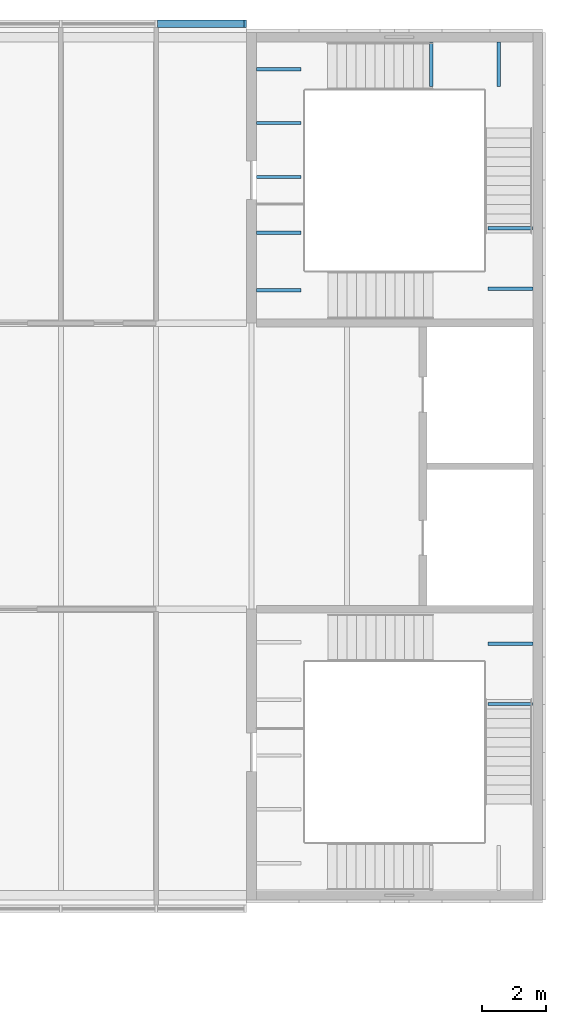
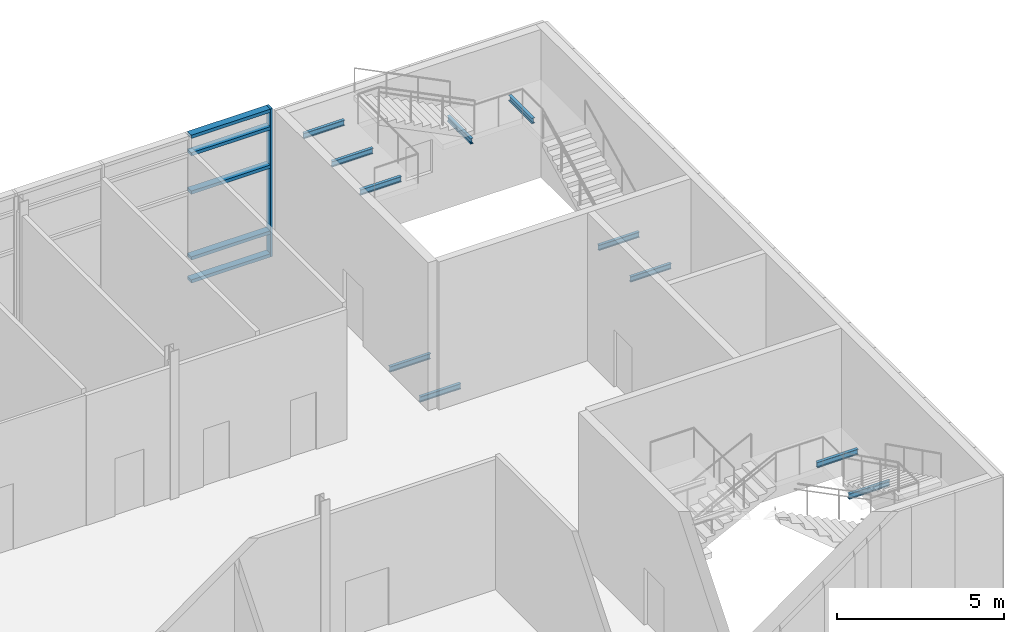
# One storey, part 24 of 52: 11 beams, 6 members, 1 element without a shape of its own.
"""IFC4 building model written with IfcOpenShell, lengths in metres."""

from ifc_helpers import new_model, si_unit, direction, frame, origin, origin_2d, place, context, subcontext, project, spatial, rectangle, i_section, extrude, material, material_profile, profile_set, type_object, element, aggregate, save


model = new_model("IFC4")

# Units and contexts
model_context = context("Model", 3, precision=1e-05, world=origin(), true_north=direction((0.0, 1.0)))
body_context = subcontext(model_context, "Body", "Model", "MODEL_VIEW")
ifc_project = project(units=[si_unit("LENGTHUNIT", "METRE"), si_unit("AREAUNIT", "SQUARE_METRE"), si_unit("VOLUMEUNIT", "CUBIC_METRE"), si_unit("PLANEANGLEUNIT", "RADIAN"), si_unit("MASSUNIT", "GRAM", prefix="KILO")], contexts=[model_context])

# Site, building, storey
site_placement = place(None, origin())
site = spatial("IfcSite", under=ifc_project, at=site_placement, CompositionType="ELEMENT")
building_placement = place(site_placement, origin())
building = spatial("IfcBuilding", under=site, at=building_placement, Name="Azimuth Sports and Learning Centre", CompositionType="ELEMENT")
storey_placement = place(building_placement, frame((0.0, 0.0, 16.199951171875)))
storey = spatial("IfcBuildingStorey", under=building, at=storey_placement, Name="L03", CompositionType="ELEMENT", Elevation=16.199951171875)

# Beams
ifc_material_1 = material(Name="Steel S355", Category="steel")
ifc_material_profile_1 = material_profile(ifc_material_1, i_section(OverallWidth=0.10009765625, OverallDepth=0.199951171875, WebThickness=0.005615234375, FlangeThickness=0.008544921875, FilletRadius=0.011962890625, at=origin_2d()), Name="IPE 200")
ifc_profile_set_1 = profile_set([ifc_material_profile_1], Name="Steel S355")
beam_type = type_object("IfcBeamType", Name="Beam IPE 200", PredefinedType="BEAM", material=ifc_profile_set_1)
for number, where, z_axis, x_axis, name in (
    (1, (170.85009765625, 96.014892578125, 1.5), (-1.0, 0.0, 0.0), (0.0, -1.0, 0.0), "Landing bracket EW1 L03 808"),
    (2, (170.85009765625, 97.9150390625, 1.5), (-1.0, 0.0, 0.0), (0.0, -1.0, 0.0), "Landing bracket EW1 L03 809"),
    (3, (162.14990234375, 109.038818359375, -0.300048828125), (1.0, 0.0, 0.0), (0.0, 1.0, 0.0), "Landing bracket EW2 L03 840"),
    (4, (162.14990234375, 110.84619140625, -0.300048828125), (1.0, 0.0, 0.0), (0.0, 1.0, 0.0), "Landing bracket EW2 L03 841"),
    (5, (170.85009765625, 109.0849609375, 1.5), (-1.0, 0.0, 0.0), (0.0, -1.0, 0.0), "Landing bracket EW2 L03 842"),
    (6, (170.85009765625, 110.985107421875, 1.5), (-1.0, 0.0, 0.0), (0.0, -1.0, 0.0), "Landing bracket EW2 L03 843"),
    (7, (167.652587890625, 116.85009765625, 3.300048828125), (0.0, -1.0, 0.0), (1.0, 0.0, 0.0), "Landing bracket EW2 L03 844"),
    (8, (169.777587890625, 116.85009765625, 3.300048828125), (0.0, -1.0, 0.0), (1.0, 0.0, 0.0), "Landing bracket EW2 L03 845"),
    (9, (162.14990234375, 112.598388671875, 5.10009765625), (1.0, 0.0, 0.0), (0.0, 1.0, 0.0), "Landing bracket EW2 L03 846"),
    (10, (162.14990234375, 114.294921875, 5.10009765625), (1.0, 0.0, 0.0), (0.0, 1.0, 0.0), "Landing bracket EW2 L03 847"),
    (11, (162.14990234375, 115.99169921875, 5.10009765625), (1.0, 0.0, 0.0), (0.0, 1.0, 0.0), "Landing bracket EW2 L03 848"),
):
    element("IfcBeam", number, at=place(storey_placement, frame(where, z_axis=z_axis, x_axis=x_axis)), inside=storey, type_object=beam_type, Name=name, PredefinedType="BEAM", context=body_context, shape_type="SweptSolid", body=[
        extrude(i_section(OverallWidth=0.10009765625, OverallDepth=0.199951171875, WebThickness=0.005615234375, FlangeThickness=0.008544921875, FilletRadius=0.011962890625, at=origin_2d()), origin(), (0.0, 0.0, 1.0), 1.41015625),
    ])

# Curtain wall, members
ifc_material_2 = material(Name="Aluminium and glass", Category="aluminium")
curtain_wall_type = type_object("IfcCurtainWallType", Name="Curtain wall podium wing 240", PredefinedType="NOTDEFINED", material=ifc_material_2)
curtain_wall_placement = place(storey_placement, origin())
curtain_wall = element("IfcCurtainWall", 12, at=curtain_wall_placement, inside=storey, type_object=curtain_wall_type, Name="Curtain wall CW03-011", PredefinedType="NOTDEFINED")
ifc_material_3 = material(Name="Aluminium", Category="aluminium")
ifc_material_profile_2 = material_profile(ifc_material_3, rectangle(XDim=0.239990234375, YDim=0.080078125, at=origin_2d()), Name="Mullion 80x240")
ifc_profile_set_2 = profile_set([ifc_material_profile_2], Name="Aluminium")
member_type_1 = type_object("IfcMemberType", Name="Mullion 80x240", PredefinedType="MULLION", material=ifc_profile_set_2)
member_1_placement = place(storey_placement, frame((161.81005859375, 117.419921875, 0.0), z_axis=(0.0, 0.0, 1.0), x_axis=(0.0, -1.0, 0.0)))
member_1 = element("IfcMember", 13, at=member_1_placement, type_object=member_type_1, Name="CW03-011 mullion 1", PredefinedType="MULLION", context=body_context, shape_type="SweptSolid", body=[
    extrude(rectangle(XDim=0.239990234375, YDim=0.080078125, at=origin_2d()), origin(), (0.0, 0.0, 1.0), 5.400146484375),
])
ifc_material_4 = material(Name="Aluminium", Category="aluminium")
ifc_material_profile_3 = material_profile(ifc_material_4, rectangle(XDim=0.239990234375, YDim=0.1201171875, at=origin_2d()), Name="Transom 120x240")
ifc_profile_set_3 = profile_set([ifc_material_profile_3], Name="Aluminium")
member_type_2 = type_object("IfcMemberType", Name="Transom 120x240", PredefinedType="USERDEFINED", material=ifc_profile_set_3)
member_2_placement = place(storey_placement, frame((161.77001953125, 117.419921875, 0.06005859375), z_axis=(-1.0, 0.0, 0.0), x_axis=(0.0, -1.0, 0.0)))
member_2 = element("IfcMember", 14, at=member_2_placement, type_object=member_type_2, Name="CW03-011 transom 1.1", ObjectType="TRANSOM", PredefinedType="USERDEFINED", context=body_context, shape_type="SweptSolid", body=[
    extrude(rectangle(XDim=0.239990234375, YDim=0.1201171875, at=origin_2d()), origin(), (0.0, 0.0, 1.0), 2.72998046875),
])
member_3_placement = place(storey_placement, frame((161.77001953125, 117.419921875, 0.900146484375), z_axis=(-1.0, 0.0, 0.0), x_axis=(0.0, -1.0, 0.0)))
member_3 = element("IfcMember", 15, at=member_3_placement, type_object=member_type_2, Name="CW03-011 transom 1.2", ObjectType="TRANSOM", PredefinedType="USERDEFINED", context=body_context, shape_type="SweptSolid", body=[
    extrude(rectangle(XDim=0.239990234375, YDim=0.1201171875, at=origin_2d()), origin(), (0.0, 0.0, 1.0), 2.72998046875),
])
member_4_placement = place(storey_placement, frame((161.77001953125, 117.419921875, 3.300048828125), z_axis=(-1.0, 0.0, 0.0), x_axis=(0.0, -1.0, 0.0)))
member_4 = element("IfcMember", 16, at=member_4_placement, type_object=member_type_2, Name="CW03-011 transom 1.3", ObjectType="TRANSOM", PredefinedType="USERDEFINED", context=body_context, shape_type="SweptSolid", body=[
    extrude(rectangle(XDim=0.239990234375, YDim=0.1201171875, at=origin_2d()), origin(), (0.0, 0.0, 1.0), 2.72998046875),
])
member_5_placement = place(storey_placement, frame((161.77001953125, 117.419921875, 4.699951171875), z_axis=(-1.0, 0.0, 0.0), x_axis=(0.0, -1.0, 0.0)))
member_5 = element("IfcMember", 17, at=member_5_placement, type_object=member_type_2, Name="CW03-011 transom 1.4", ObjectType="TRANSOM", PredefinedType="USERDEFINED", context=body_context, shape_type="SweptSolid", body=[
    extrude(rectangle(XDim=0.239990234375, YDim=0.1201171875, at=origin_2d()), origin(), (0.0, 0.0, 1.0), 2.72998046875),
])
member_6_placement = place(storey_placement, frame((161.77001953125, 117.419921875, 5.340087890625), z_axis=(-1.0, 0.0, 0.0), x_axis=(0.0, -1.0, 0.0)))
member_6 = element("IfcMember", 18, at=member_6_placement, type_object=member_type_2, Name="CW03-011 transom 1.5", ObjectType="TRANSOM", PredefinedType="USERDEFINED", context=body_context, shape_type="SweptSolid", body=[
    extrude(rectangle(XDim=0.239990234375, YDim=0.1201171875, at=origin_2d()), origin(), (0.0, 0.0, 1.0), 2.72998046875),
])
aggregate(curtain_wall, [member_1, member_2, member_3, member_4, member_5, member_6])

save(model, "model.ifc")
